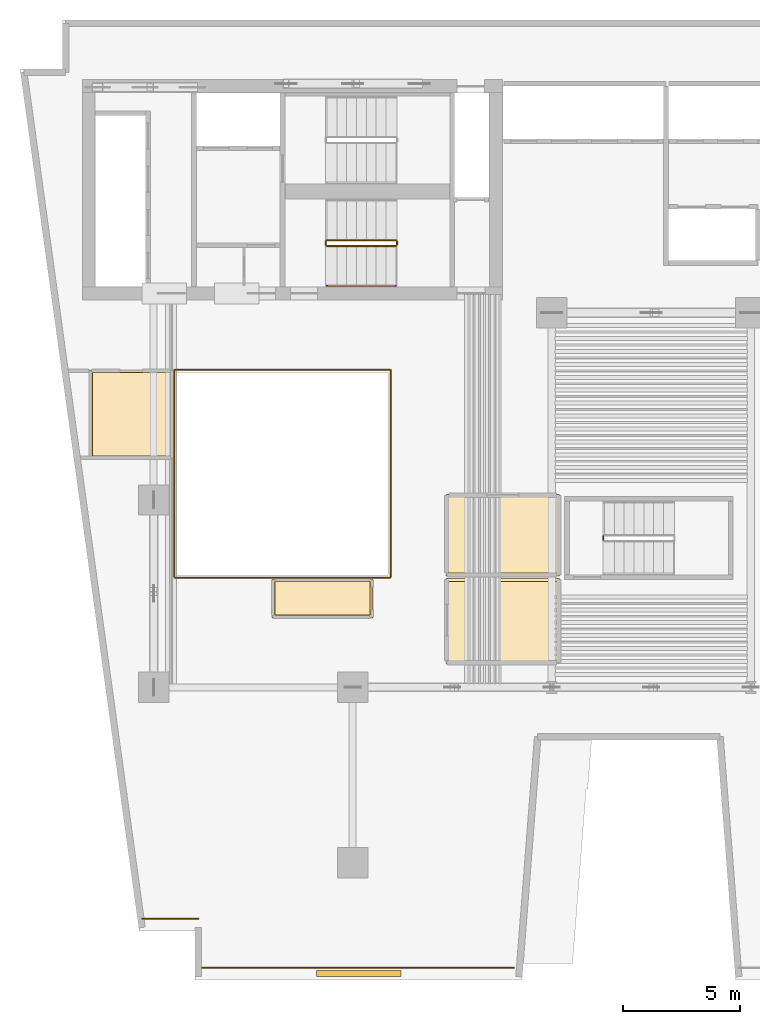
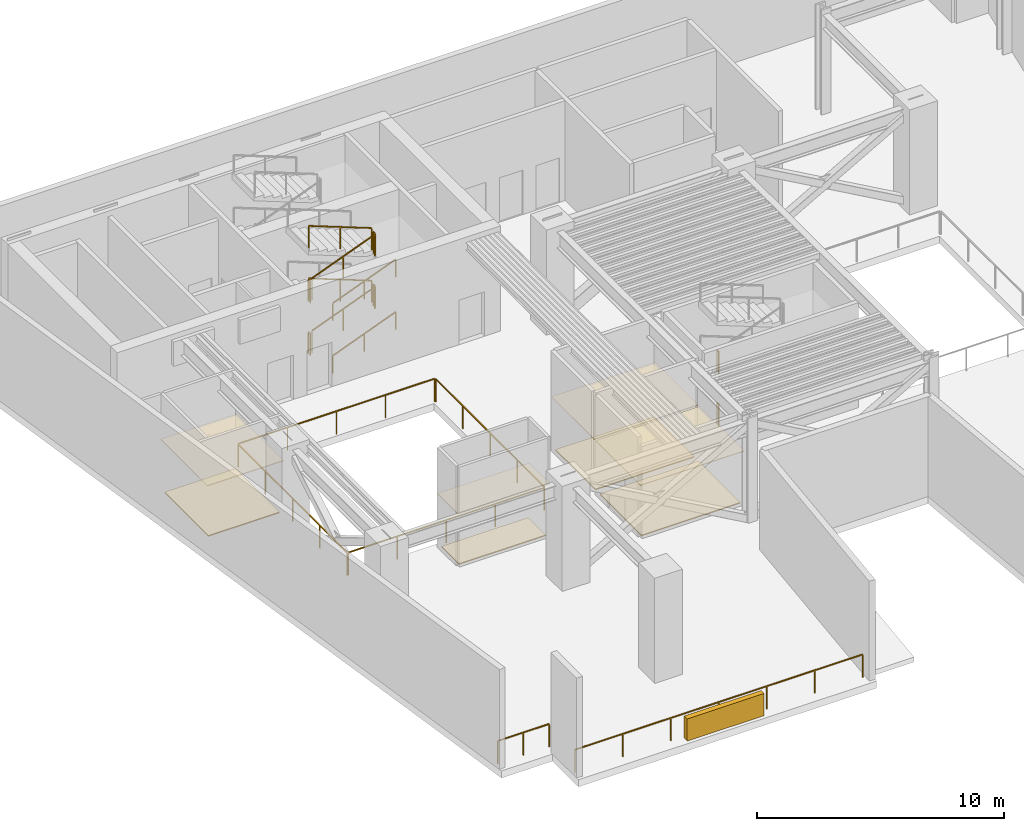
# One storey, part 6 of 8: 18 railings, 8 coverings, 1 shading device.
"""IFC4 building model written with IfcOpenShell, lengths in metres."""

from ifc_helpers import new_model, si_unit, direction, frame, origin, origin_2d, place, context, subcontext, project, spatial, polyline, rectangle, outline, extrude, material, layer, layer_set, type_object, element, save


model = new_model("IFC4")

# Units and contexts
model_context = context("Model", 3, precision=1e-05, world=origin(), true_north=direction((0.0, 1.0)))
body_context = subcontext(model_context, "Body", "Model", "MODEL_VIEW")
ifc_project = project(units=[si_unit("LENGTHUNIT", "METRE"), si_unit("AREAUNIT", "SQUARE_METRE"), si_unit("VOLUMEUNIT", "CUBIC_METRE"), si_unit("PLANEANGLEUNIT", "RADIAN"), si_unit("MASSUNIT", "GRAM", prefix="KILO")], contexts=[model_context])

# Site, building, storey
site_placement = place(None, origin())
site = spatial("IfcSite", under=ifc_project, at=site_placement, CompositionType="ELEMENT")
building_placement = place(site_placement, origin())
building = spatial("IfcBuilding", under=site, at=building_placement, Name="Caeloran Harvest Quay", CompositionType="ELEMENT")
storey_placement = place(building_placement, frame((0.0, 0.0, 106.199951171875)))
storey = spatial("IfcBuildingStorey", under=building, at=storey_placement, Name="L24", CompositionType="ELEMENT", Elevation=106.199951171875)

# Coverings
ifc_material_1 = material(Name="Perforated Mineral-Fibre Acoustic Ceiling Tile", Category="ceiling")
ifc_layer_1 = layer(ifc_material_1, 0.0400390625, Name="Perforated Mineral-Fibre Acoustic Ceiling Tile")
ifc_layer_set_1 = layer_set([ifc_layer_1], Name="Perforated Mineral-Fibre Acoustic Ceiling Tile")
covering_type_1 = type_object("IfcCoveringType", Name="COV-CEILING-ACOUSTIC", PredefinedType="CEILING", material=ifc_layer_set_1)
covering_1_placement = place(storey_placement, frame((0.0, 0.0, 2.60009765625)))
element("IfcCovering", 1, at=covering_1_placement, inside=storey, type_object=covering_type_1, Name="L24 Dedicated Outdoor Air Handling and Dehumidification Plant Room Acoustic Ceiling", PredefinedType="CEILING", context=body_context, shape_type="SweptSolid", body=[
    extrude(outline(polyline([(25.840087890625, 23.239990234375), (25.840087890625, 19.760009765625), (20.97998046875, 19.760009765625), (20.97998046875, 23.239990234375), (25.840087890625, 23.239990234375)])), origin(), (0.0, 0.0, 1.0), 0.0400390625),
])
covering_2_placement = place(storey_placement, frame((0.0, 0.0, 2.60009765625)))
element("IfcCovering", 2, at=covering_2_placement, inside=storey, type_object=covering_type_1, Name="L24 Zone Chilled-Water Heat Exchanger and Pump Plant Room Acoustic Ceiling", PredefinedType="CEILING", context=body_context, shape_type="SweptSolid", body=[
    extrude(outline(polyline([(25.840087890625, 19.639892578125), (25.840087890625, 16.010009765625), (20.97998046875, 16.010009765625), (20.97998046875, 19.639892578125), (25.840087890625, 19.639892578125)])), origin(), (0.0, 0.0, 1.0), 0.0400390625),
])
covering_3_placement = place(storey_placement, frame((0.0, 0.0, 2.60009765625)))
element("IfcCovering", 3, at=covering_3_placement, inside=storey, type_object=covering_type_1, Name="L24 Refuge Male Washroom WC Acoustic Ceiling", PredefinedType="CEILING", context=body_context, shape_type="SweptSolid", body=[
    extrude(outline(polyline([(17.860107421875, 19.6298828125), (17.860107421875, 17.9599609375), (13.56005859375, 17.9599609375), (13.56005859375, 19.6298828125), (17.860107421875, 19.6298828125)])), origin(), (0.0, 0.0, 1.0), 0.0400390625),
])
covering_4_placement = place(storey_placement, frame((0.0, 0.0, 2.60009765625)))
element("IfcCovering", 4, at=covering_4_placement, inside=storey, type_object=covering_type_1, Name="L24 Refuge Accessible Unisex Washroom WC Acoustic Ceiling", PredefinedType="CEILING", context=body_context, shape_type="SweptSolid", body=[
    extrude(outline(polyline([(9.330078125, 28.56005859375), (9.330078125, 24.760009765625), (5.760009765625, 24.760009765625), (5.760009765625, 28.56005859375), (9.330078125, 28.56005859375)])), origin(), (0.0, 0.0, 1.0), 0.0400390625),
])
ifc_material_2 = material(Name="Calcium-Sulphate Raised Access Floor and Terrazzo Finish", Category="flooring")
ifc_layer_2 = layer(ifc_material_2, 0.050048828125, Name="Calcium-Sulphate Raised Access Floor and Terrazzo Finish")
ifc_layer_set_2 = layer_set([ifc_layer_2], Name="Calcium-Sulphate Raised Access Floor and Terrazzo Finish")
covering_type_2 = type_object("IfcCoveringType", Name="COV-FLOOR-RAISED", PredefinedType="FLOORING", material=ifc_layer_set_2)
covering_5_placement = place(storey_placement, origin())
element("IfcCovering", 5, at=covering_5_placement, inside=storey, type_object=covering_type_2, Name="L24 Dedicated Outdoor Air Handling and Dehumidification Plant Room Raised Finish Flooring", PredefinedType="FLOORING", context=body_context, shape_type="SweptSolid", body=[
    extrude(outline(polyline([(25.719970703125, 23.1201171875), (25.719970703125, 19.8798828125), (21.10009765625, 19.8798828125), (21.10009765625, 23.1201171875), (25.719970703125, 23.1201171875)])), origin(), (0.0, 0.0, 1.0), 0.050048828125),
])
covering_6_placement = place(storey_placement, origin())
element("IfcCovering", 6, at=covering_6_placement, inside=storey, type_object=covering_type_2, Name="L24 Zone Chilled-Water Heat Exchanger and Pump Plant Room Raised Finish Flooring", PredefinedType="FLOORING", context=body_context, shape_type="SweptSolid", body=[
    extrude(outline(polyline([(25.719970703125, 19.52001953125), (25.719970703125, 16.1298828125), (21.10009765625, 16.1298828125), (21.10009765625, 19.52001953125), (25.719970703125, 19.52001953125)])), origin(), (0.0, 0.0, 1.0), 0.050048828125),
])
covering_7_placement = place(storey_placement, origin())
element("IfcCovering", 7, at=covering_7_placement, inside=storey, type_object=covering_type_2, Name="L24 Refuge Male Washroom WC Raised Finish Flooring", PredefinedType="FLOORING", context=body_context, shape_type="SweptSolid", body=[
    extrude(outline(polyline([(17.739990234375, 19.510009765625), (17.739990234375, 18.080078125), (13.679931640625, 18.080078125), (13.679931640625, 19.510009765625), (17.739990234375, 19.510009765625)])), origin(), (0.0, 0.0, 1.0), 0.050048828125),
])
covering_8_placement = place(storey_placement, origin())
element("IfcCovering", 8, at=covering_8_placement, inside=storey, type_object=covering_type_2, Name="L24 Refuge Accessible Unisex Washroom WC Raised Finish Flooring", PredefinedType="FLOORING", context=body_context, shape_type="SweptSolid", body=[
    extrude(outline(polyline([(9.2099609375, 28.43994140625), (9.2099609375, 24.8798828125), (5.8798828125, 24.8798828125), (5.8798828125, 28.43994140625), (9.2099609375, 28.43994140625)])), origin(), (0.0, 0.0, 1.0), 0.050048828125),
])

# Railings
ifc_material_3 = material(Name="Powder-Coated Steel Post and Laminated Glass Guardrail", Category="steel")
ifc_layer_3 = layer(ifc_material_3, 0.06005859375, Name="Powder-Coated Steel Post and Laminated Glass Guardrail")
ifc_layer_set_3 = layer_set([ifc_layer_3], Name="Powder-Coated Steel Post and Laminated Glass Guardrail")
railing_type_1 = type_object("IfcRailingType", Name="GUARD-ATRIUM-1150", PredefinedType="GUARDRAIL", material=ifc_layer_set_3)
railing_1_placement = place(storey_placement, frame((9.412109375, 19.679931640625, 0.0)))
element("IfcRailing", 9, at=railing_1_placement, inside=storey, type_object=railing_type_1, Name="L24 Skylit Atrium Void Perimeter Guardrail Seg 1", PredefinedType="GUARDRAIL", context=body_context, shape_type="SweptSolid", body=[
    extrude(rectangle(XDim=0.048095703125, YDim=0.048095703125, at=origin_2d()), frame((0.0, 0.0, 1.1259765625), z_axis=(1.0, 0.0, 0.0), x_axis=(0.0, 1.0, 0.0)), (0.0, 0.0, 1.0), 9.17578125),
    extrude(rectangle(XDim=0.0419921875, YDim=0.0419921875, at=origin_2d()), origin(), (0.0, 0.0, 1.0), 1.101806640625),
    extrude(rectangle(XDim=0.0419921875, YDim=0.0419921875, at=origin_2d()), frame((2.2939453125, 0.0, 0.0)), (0.0, 0.0, 1.0), 1.101806640625),
    extrude(rectangle(XDim=0.0419921875, YDim=0.0419921875, at=origin_2d()), frame((4.587890625, 0.0, 0.0)), (0.0, 0.0, 1.0), 1.101806640625),
    extrude(rectangle(XDim=0.0419921875, YDim=0.0419921875, at=origin_2d()), frame((6.8818359375, 0.0, 0.0)), (0.0, 0.0, 1.0), 1.101806640625),
    extrude(rectangle(XDim=0.0419921875, YDim=0.0419921875, at=origin_2d()), frame((9.17578125, 0.0, 0.0)), (0.0, 0.0, 1.0), 1.101806640625),
])
railing_2_placement = place(storey_placement, frame((18.6201171875, 19.7119140625, 0.0)))
element("IfcRailing", 10, at=railing_2_placement, inside=storey, type_object=railing_type_1, Name="L24 Skylit Atrium Void Perimeter Guardrail Seg 2", PredefinedType="GUARDRAIL", context=body_context, shape_type="SweptSolid", body=[
    extrude(rectangle(XDim=0.048095703125, YDim=0.048095703125, at=origin_2d()), frame((0.0, 0.0, 1.1259765625), z_axis=(0.0, 1.0, 0.0), x_axis=(-1.0, 0.0, 0.0)), (0.0, 0.0, 1.0), 8.826171875),
    extrude(rectangle(XDim=0.0419921875, YDim=0.0419921875, at=origin_2d()), origin(), (0.0, 0.0, 1.0), 1.101806640625),
    extrude(rectangle(XDim=0.0419921875, YDim=0.0419921875, at=origin_2d()), frame((0.0, 2.20654296875, 0.0)), (0.0, 0.0, 1.0), 1.101806640625),
    extrude(rectangle(XDim=0.0419921875, YDim=0.0419921875, at=origin_2d()), frame((0.0, 4.4130859375, 0.0)), (0.0, 0.0, 1.0), 1.101806640625),
    extrude(rectangle(XDim=0.0419921875, YDim=0.0419921875, at=origin_2d()), frame((0.0, 6.61962890625, 0.0)), (0.0, 0.0, 1.0), 1.101806640625),
    extrude(rectangle(XDim=0.0419921875, YDim=0.0419921875, at=origin_2d()), frame((0.0, 8.826171875, 0.0)), (0.0, 0.0, 1.0), 1.101806640625),
])
railing_3_placement = place(storey_placement, frame((18.587890625, 28.570068359375, 0.0)))
element("IfcRailing", 11, at=railing_3_placement, inside=storey, type_object=railing_type_1, Name="L24 Skylit Atrium Void Perimeter Guardrail Seg 3", PredefinedType="GUARDRAIL", context=body_context, shape_type="SweptSolid", body=[
    extrude(rectangle(XDim=0.048095703125, YDim=0.048095703125, at=origin_2d()), frame((0.0, 0.0, 1.1259765625), z_axis=(-1.0, 0.0, 0.0), x_axis=(0.0, -1.0, 0.0)), (0.0, 0.0, 1.0), 9.17578125),
    extrude(rectangle(XDim=0.0419921875, YDim=0.0419921875, at=origin_2d()), origin(), (0.0, 0.0, 1.0), 1.101806640625),
    extrude(rectangle(XDim=0.0419921875, YDim=0.0419921875, at=origin_2d()), frame((-2.2939453125, 0.0, 0.0)), (0.0, 0.0, 1.0), 1.101806640625),
    extrude(rectangle(XDim=0.0419921875, YDim=0.0419921875, at=origin_2d()), frame((-4.587890625, 0.0, 0.0)), (0.0, 0.0, 1.0), 1.101806640625),
    extrude(rectangle(XDim=0.0419921875, YDim=0.0419921875, at=origin_2d()), frame((-6.8818359375, 0.0, 0.0)), (0.0, 0.0, 1.0), 1.101806640625),
    extrude(rectangle(XDim=0.0419921875, YDim=0.0419921875, at=origin_2d()), frame((-9.17578125, 0.0, 0.0)), (0.0, 0.0, 1.0), 1.101806640625),
])
railing_4_placement = place(storey_placement, frame((9.3798828125, 28.5380859375, 0.0)))
element("IfcRailing", 12, at=railing_4_placement, inside=storey, type_object=railing_type_1, Name="L24 Skylit Atrium Void Perimeter Guardrail Seg 4", PredefinedType="GUARDRAIL", context=body_context, shape_type="SweptSolid", body=[
    extrude(rectangle(XDim=0.048095703125, YDim=0.048095703125, at=origin_2d()), frame((0.0, 0.0, 1.1259765625), z_axis=(0.0, -1.0, 0.0), x_axis=(1.0, 0.0, 0.0)), (0.0, 0.0, 1.0), 8.826171875),
    extrude(rectangle(XDim=0.0419921875, YDim=0.0419921875, at=origin_2d()), origin(), (0.0, 0.0, 1.0), 1.101806640625),
    extrude(rectangle(XDim=0.0419921875, YDim=0.0419921875, at=origin_2d()), frame((0.0, -2.20654296875, 0.0)), (0.0, 0.0, 1.0), 1.101806640625),
    extrude(rectangle(XDim=0.0419921875, YDim=0.0419921875, at=origin_2d()), frame((0.0, -4.4130859375, 0.0)), (0.0, 0.0, 1.0), 1.101806640625),
    extrude(rectangle(XDim=0.0419921875, YDim=0.0419921875, at=origin_2d()), frame((0.0, -6.61962890625, 0.0)), (0.0, 0.0, 1.0), 1.101806640625),
    extrude(rectangle(XDim=0.0419921875, YDim=0.0419921875, at=origin_2d()), frame((0.0, -8.826171875, 0.0)), (0.0, 0.0, 1.0), 1.101806640625),
])
ifc_material_4 = material(Name="Laminated Safety Glass and Stainless Steel 316", Category="steel")
ifc_layer_4 = layer(ifc_material_4, 0.06005859375, Name="Laminated Safety Glass and Stainless Steel 316")
ifc_layer_set_4 = layer_set([ifc_layer_4], Name="Laminated Safety Glass and Stainless Steel 316")
railing_type_2 = type_object("IfcRailingType", Name="GUARD-BALUSTRADE-1150", PredefinedType="BALUSTRADE", material=ifc_layer_set_4)
railing_5_placement = place(storey_placement, frame((10.409912109375, 5.1201171875, 0.0)))
element("IfcRailing", 13, at=railing_5_placement, inside=storey, type_object=railing_type_2, Name="L24 Open Refuge and Wind-Slot Perimeter Balustrade 2", PredefinedType="BALUSTRADE", context=body_context, shape_type="SweptSolid", body=[
    extrude(rectangle(XDim=0.048095703125, YDim=0.048095703125, at=origin_2d()), frame((0.0, 0.0, 1.1259765625), z_axis=(-1.0, 0.0, 0.0), x_axis=(0.0, -1.0, 0.0)), (0.0, 0.0, 1.0), 2.408203125),
    extrude(rectangle(XDim=0.0419921875, YDim=0.0419921875, at=origin_2d()), origin(), (0.0, 0.0, 1.0), 1.101806640625),
    extrude(rectangle(XDim=0.0419921875, YDim=0.0419921875, at=origin_2d()), frame((-1.2041015625, 0.0, 0.0)), (0.0, 0.0, 1.0), 1.101806640625),
    extrude(rectangle(XDim=0.0419921875, YDim=0.0419921875, at=origin_2d()), frame((-2.408203125, 0.0, 0.0)), (0.0, 0.0, 1.0), 1.101806640625),
])
railing_6_placement = place(storey_placement, frame((23.8779296875, 3.02001953125, 0.0)))
element("IfcRailing", 14, at=railing_6_placement, inside=storey, type_object=railing_type_2, Name="L24 Open Refuge and Wind-Slot Perimeter Balustrade 16", PredefinedType="BALUSTRADE", context=body_context, shape_type="SweptSolid", body=[
    extrude(rectangle(XDim=0.048095703125, YDim=0.048095703125, at=origin_2d()), frame((0.0, 0.0, 1.1259765625), z_axis=(-1.0, 0.0, 0.0), x_axis=(0.0, -1.0, 0.0)), (0.0, 0.0, 1.0), 13.468017578125),
    extrude(rectangle(XDim=0.0419921875, YDim=0.0419921875, at=origin_2d()), origin(), (0.0, 0.0, 1.0), 1.101806640625),
    extrude(rectangle(XDim=0.0419921875, YDim=0.0419921875, at=origin_2d()), frame((-2.24462890625, 0.0, 0.0)), (0.0, 0.0, 1.0), 1.101806640625),
    extrude(rectangle(XDim=0.0419921875, YDim=0.0419921875, at=origin_2d()), frame((-4.4892578125, 0.0, 0.0)), (0.0, 0.0, 1.0), 1.101806640625),
    extrude(rectangle(XDim=0.0419921875, YDim=0.0419921875, at=origin_2d()), frame((-6.73388671875, 0.0, 0.0)), (0.0, 0.0, 1.0), 1.101806640625),
    extrude(rectangle(XDim=0.0419921875, YDim=0.0419921875, at=origin_2d()), frame((-8.978759765625, 0.0, 0.0)), (0.0, 0.0, 1.0), 1.101806640625),
    extrude(rectangle(XDim=0.0419921875, YDim=0.0419921875, at=origin_2d()), frame((-11.223388671875, 0.0, 0.0)), (0.0, 0.0, 1.0), 1.101806640625),
    extrude(rectangle(XDim=0.0419921875, YDim=0.0419921875, at=origin_2d()), frame((-13.468017578125, 0.0, 0.0)), (0.0, 0.0, 1.0), 1.101806640625),
])

# Shading device
ifc_material_5 = material(Name="6063-T6 Extruded Aluminium Acoustic Weather Louvre", Category="aluminium")
shading_device_type = type_object("IfcShadingDeviceType", Name="SHADE-LOUVRE-PLANT", PredefinedType="JALOUSIE", material=ifc_material_5)
shading_device_placement = place(storey_placement, frame((17.25537109375, 2.780029296875, 0.0), z_axis=(0.0, 0.0, 1.0), x_axis=(-1.0, 0.0, 0.0)))
element("IfcShadingDevice", 15, at=shading_device_placement, inside=storey, type_object=shading_device_type, Name="L24 Acoustic Weather Louvre 16", PredefinedType="JALOUSIE", context=body_context, shape_type="SweptSolid", body=[
    extrude(rectangle(XDim=3.60009765625, YDim=0.239990234375, at=origin_2d()), origin(), (0.0, 0.0, 1.0), 1.10009765625),
])

# Railings
ifc_material_6 = material(Name="Painted Steel Baluster and Top-Rail Stair Guard", Category="steel")
ifc_layer_5 = layer(ifc_material_6, 0.050048828125, Name="Painted Steel Baluster and Top-Rail Stair Guard")
ifc_layer_set_5 = layer_set([ifc_layer_5], Name="Painted Steel Baluster and Top-Rail Stair Guard")
railing_type_3 = type_object("IfcRailingType", Name="STAIR-GUARD-1100", PredefinedType="GUARDRAIL", material=ifc_layer_set_5)
railing_7_placement = place(storey_placement, frame((15.89990234375, 33.85009765625, 0.16259765625)))
element("IfcRailing", 16, at=railing_7_placement, inside=storey, type_object=railing_type_3, Name="L24 ST-C2 stair guard 1", PredefinedType="GUARDRAIL", context=body_context, shape_type="SweptSolid", body=[
    extrude(rectangle(XDim=0.048095703125, YDim=0.048095703125, at=origin_2d()), frame((0.0, 0.0, 1.076171875), z_axis=(0.932641246608, 0.0, 0.360805079129), x_axis=(0.0, 1.0, 0.0)), (0.0, 0.0, 1.0), 3.152587890625),
    extrude(rectangle(XDim=0.0419921875, YDim=0.0419921875, at=origin_2d()), origin(), (0.0, 0.0, 1.0), 1.052001953125),
    extrude(rectangle(XDim=0.0419921875, YDim=0.0419921875, at=origin_2d()), frame((1.47021484375, 0.0, 0.56884765625)), (0.0, 0.0, 1.0), 1.052001953125),
    extrude(rectangle(XDim=0.0419921875, YDim=0.0419921875, at=origin_2d()), frame((2.940185546875, 0.0, 1.137451171875)), (0.0, 0.0, 1.0), 1.052001953125),
])
railing_8_placement = place(storey_placement, frame((18.889892578125, 33.89990234375, 1.300048828125)))
element("IfcRailing", 17, at=railing_8_placement, inside=storey, type_object=railing_type_3, Name="L24 ST-C2 stair guard 2", PredefinedType="GUARDRAIL", context=body_context, shape_type="SweptSolid", body=[
    extrude(rectangle(XDim=0.048095703125, YDim=0.048095703125, at=origin_2d()), frame((0.0, 0.0, 1.076171875), z_axis=(0.0, 1.0, 0.0), x_axis=(-1.0, 0.0, 0.0)), (0.0, 0.0, 1.0), 0.150146484375),
    extrude(rectangle(XDim=0.0419921875, YDim=0.0419921875, at=origin_2d()), origin(), (0.0, 0.0, 1.0), 1.052001953125),
    extrude(rectangle(XDim=0.0419921875, YDim=0.0419921875, at=origin_2d()), frame((0.0, 0.150146484375, 0.0)), (0.0, 0.0, 1.0), 1.052001953125),
])
railing_9_placement = place(storey_placement, frame((18.840087890625, 34.10009765625, 1.462646484375)))
element("IfcRailing", 18, at=railing_9_placement, inside=storey, type_object=railing_type_3, Name="L24 ST-C2 stair guard 3", PredefinedType="GUARDRAIL", context=body_context, shape_type="SweptSolid", body=[
    extrude(rectangle(XDim=0.048095703125, YDim=0.048095703125, at=origin_2d()), frame((0.0, 0.0, 1.076171875), z_axis=(-0.932641246608, 0.0, 0.360805079129), x_axis=(0.0, -1.0, 0.0)), (0.0, 0.0, 1.0), 3.152587890625),
    extrude(rectangle(XDim=0.0419921875, YDim=0.0419921875, at=origin_2d()), origin(), (0.0, 0.0, 1.0), 1.052001953125),
    extrude(rectangle(XDim=0.0419921875, YDim=0.0419921875, at=origin_2d()), frame((-1.47021484375, 0.0, 0.56884765625)), (0.0, 0.0, 1.0), 1.052001953125),
    extrude(rectangle(XDim=0.0419921875, YDim=0.0419921875, at=origin_2d()), frame((-2.940185546875, 0.0, 1.137451171875)), (0.0, 0.0, 1.0), 1.052001953125),
])
railing_10_placement = place(storey_placement, frame((15.85009765625, 33.89990234375, 2.60009765625)))
element("IfcRailing", 19, at=railing_10_placement, inside=storey, type_object=railing_type_3, Name="L24 ST-C2 stair guard 4", PredefinedType="GUARDRAIL", context=body_context, shape_type="SweptSolid", body=[
    extrude(rectangle(XDim=0.048095703125, YDim=0.048095703125, at=origin_2d()), frame((0.0, 0.0, 1.076171875), z_axis=(0.0, 1.0, 0.0), x_axis=(-1.0, 0.0, 0.0)), (0.0, 0.0, 1.0), 0.150146484375),
    extrude(rectangle(XDim=0.0419921875, YDim=0.0419921875, at=origin_2d()), origin(), (0.0, 0.0, 1.0), 1.052001953125),
    extrude(rectangle(XDim=0.0419921875, YDim=0.0419921875, at=origin_2d()), frame((0.0, 0.150146484375, 0.0)), (0.0, 0.0, 1.0), 1.052001953125),
])
railing_11_placement = place(storey_placement, frame((15.89990234375, 33.85009765625, 2.762451171875)))
element("IfcRailing", 20, at=railing_11_placement, inside=storey, type_object=railing_type_3, Name="L24 ST-C2 stair guard 5", PredefinedType="GUARDRAIL", context=body_context, shape_type="SweptSolid", body=[
    extrude(rectangle(XDim=0.048095703125, YDim=0.048095703125, at=origin_2d()), frame((0.0, 0.0, 1.076171875), z_axis=(0.932615185337, 0.0, 0.360872437405), x_axis=(0.0, 1.0, 0.0)), (0.0, 0.0, 1.0), 3.152587890625),
    extrude(rectangle(XDim=0.0419921875, YDim=0.0419921875, at=origin_2d()), origin(), (0.0, 0.0, 1.0), 1.052001953125),
    extrude(rectangle(XDim=0.0419921875, YDim=0.0419921875, at=origin_2d()), frame((1.47021484375, 0.0, 0.56884765625)), (0.0, 0.0, 1.0), 1.052001953125),
    extrude(rectangle(XDim=0.0419921875, YDim=0.0419921875, at=origin_2d()), frame((2.940185546875, 0.0, 1.1376953125)), (0.0, 0.0, 1.0), 1.052001953125),
])
railing_12_placement = place(storey_placement, frame((18.889892578125, 33.89990234375, 3.900146484375)))
element("IfcRailing", 21, at=railing_12_placement, inside=storey, type_object=railing_type_3, Name="L24 ST-C2 stair guard 6", PredefinedType="GUARDRAIL", context=body_context, shape_type="SweptSolid", body=[
    extrude(rectangle(XDim=0.048095703125, YDim=0.048095703125, at=origin_2d()), frame((0.0, 0.0, 1.076171875), z_axis=(0.0, 1.0, 0.0), x_axis=(-1.0, 0.0, 0.0)), (0.0, 0.0, 1.0), 0.150146484375),
    extrude(rectangle(XDim=0.0419921875, YDim=0.0419921875, at=origin_2d()), origin(), (0.0, 0.0, 1.0), 1.052001953125),
    extrude(rectangle(XDim=0.0419921875, YDim=0.0419921875, at=origin_2d()), frame((0.0, 0.150146484375, 0.0)), (0.0, 0.0, 1.0), 1.052001953125),
])
railing_13_placement = place(storey_placement, frame((18.840087890625, 34.10009765625, 4.0625)))
element("IfcRailing", 22, at=railing_13_placement, inside=storey, type_object=railing_type_3, Name="L24 ST-C2 stair guard 7", PredefinedType="GUARDRAIL", context=body_context, shape_type="SweptSolid", body=[
    extrude(rectangle(XDim=0.048095703125, YDim=0.048095703125, at=origin_2d()), frame((0.0, 0.0, 1.076171875), z_axis=(-0.932641246608, 0.0, 0.360805079129), x_axis=(0.0, -1.0, 0.0)), (0.0, 0.0, 1.0), 3.152587890625),
    extrude(rectangle(XDim=0.0419921875, YDim=0.0419921875, at=origin_2d()), origin(), (0.0, 0.0, 1.0), 1.052001953125),
    extrude(rectangle(XDim=0.0419921875, YDim=0.0419921875, at=origin_2d()), frame((-1.47021484375, 0.0, 0.56884765625)), (0.0, 0.0, 1.0), 1.052001953125),
    extrude(rectangle(XDim=0.0419921875, YDim=0.0419921875, at=origin_2d()), frame((-2.940185546875, 0.0, 1.137451171875)), (0.0, 0.0, 1.0), 1.052001953125),
])
railing_14_placement = place(storey_placement, frame((15.85009765625, 33.89990234375, 0.0)))
element("IfcRailing", 23, at=railing_14_placement, inside=storey, type_object=railing_type_3, Name="L24 ST-C2 stair guard 8", PredefinedType="GUARDRAIL", context=body_context, shape_type="SweptSolid", body=[
    extrude(rectangle(XDim=0.048095703125, YDim=0.048095703125, at=origin_2d()), frame((0.0, 0.0, 1.076171875), z_axis=(0.0, 1.0, 0.0), x_axis=(-1.0, 0.0, 0.0)), (0.0, 0.0, 1.0), 0.150146484375),
    extrude(rectangle(XDim=0.0419921875, YDim=0.0419921875, at=origin_2d()), origin(), (0.0, 0.0, 1.0), 1.052001953125),
    extrude(rectangle(XDim=0.0419921875, YDim=0.0419921875, at=origin_2d()), frame((0.0, 0.150146484375, 0.0)), (0.0, 0.0, 1.0), 1.052001953125),
])
for number, where, name in (
    (24, (27.699951171875, 21.300048828125, 2.60009765625), "L24 ST-W1 stair guard 4"),
    (25, (27.699951171875, 21.300048828125, 0.0), "L24 ST-W1 stair guard 8"),
):
    element("IfcRailing", number, at=place(storey_placement, frame(where)), inside=storey, type_object=railing_type_3, Name=name, PredefinedType="GUARDRAIL", context=body_context, shape_type="SweptSolid", body=[
        extrude(rectangle(XDim=0.048095703125, YDim=0.048095703125, at=origin_2d()), frame((0.0, 0.0, 1.076171875), z_axis=(0.0, 1.0, 0.0), x_axis=(-1.0, 0.0, 0.0)), (0.0, 0.0, 1.0), 0.14990234375),
        extrude(rectangle(XDim=0.0419921875, YDim=0.0419921875, at=origin_2d()), origin(), (0.0, 0.0, 1.0), 1.052001953125),
        extrude(rectangle(XDim=0.0419921875, YDim=0.0419921875, at=origin_2d()), frame((0.0, 0.14990234375, 0.0)), (0.0, 0.0, 1.0), 1.052001953125),
    ])
ifc_material_7 = material(Name="Brushed Stainless Steel Grade 304", Category="steel")
ifc_layer_6 = layer(ifc_material_7, 0.050048828125, Name="Brushed Stainless Steel Grade 304")
ifc_layer_set_6 = layer_set([ifc_layer_6], Name="Brushed Stainless Steel Grade 304")
railing_type_4 = type_object("IfcRailingType", Name="STAIR-HANDRAIL-900", PredefinedType="HANDRAIL", material=ifc_layer_set_6)
railing_15_placement = place(storey_placement, frame((15.89990234375, 32.14990234375, 0.16259765625)))
element("IfcRailing", 26, at=railing_15_placement, inside=storey, type_object=railing_type_4, Name="L24 ST-C2 stair handrail 1", PredefinedType="HANDRAIL", context=body_context, shape_type="SweptSolid", body=[
    extrude(rectangle(XDim=0.048095703125, YDim=0.048095703125, at=origin_2d()), frame((0.0, 0.0, 0.8759765625), z_axis=(0.932641246608, 0.0, 0.360805079129), x_axis=(0.0, 1.0, 0.0)), (0.0, 0.0, 1.0), 3.152587890625),
    extrude(rectangle(XDim=0.0419921875, YDim=0.0419921875, at=origin_2d()), origin(), (0.0, 0.0, 1.0), 0.851806640625),
    extrude(rectangle(XDim=0.0419921875, YDim=0.0419921875, at=origin_2d()), frame((1.47021484375, 0.0, 0.56884765625)), (0.0, 0.0, 1.0), 0.851806640625),
    extrude(rectangle(XDim=0.0419921875, YDim=0.0419921875, at=origin_2d()), frame((2.940185546875, 0.0, 1.137451171875)), (0.0, 0.0, 1.0), 0.851806640625),
])
railing_16_placement = place(storey_placement, frame((15.89990234375, 32.14990234375, 2.762451171875)))
element("IfcRailing", 27, at=railing_16_placement, inside=storey, type_object=railing_type_4, Name="L24 ST-C2 stair handrail 3", PredefinedType="HANDRAIL", context=body_context, shape_type="SweptSolid", body=[
    extrude(rectangle(XDim=0.048095703125, YDim=0.048095703125, at=origin_2d()), frame((0.0, 0.0, 0.8759765625), z_axis=(0.932615185337, 0.0, 0.360872437405), x_axis=(0.0, 1.0, 0.0)), (0.0, 0.0, 1.0), 3.152587890625),
    extrude(rectangle(XDim=0.0419921875, YDim=0.0419921875, at=origin_2d()), origin(), (0.0, 0.0, 1.0), 0.851806640625),
    extrude(rectangle(XDim=0.0419921875, YDim=0.0419921875, at=origin_2d()), frame((1.47021484375, 0.0, 0.56884765625)), (0.0, 0.0, 1.0), 0.851806640625),
    extrude(rectangle(XDim=0.0419921875, YDim=0.0419921875, at=origin_2d()), frame((2.940185546875, 0.0, 1.1376953125)), (0.0, 0.0, 1.0), 0.851806640625),
])

save(model, "model.ifc")
